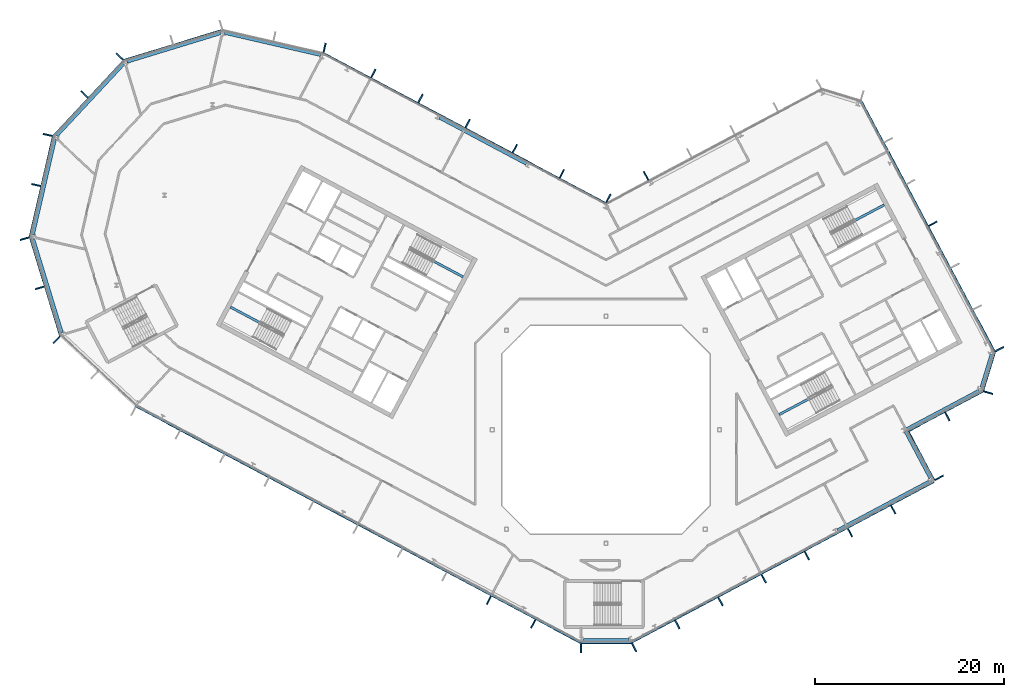
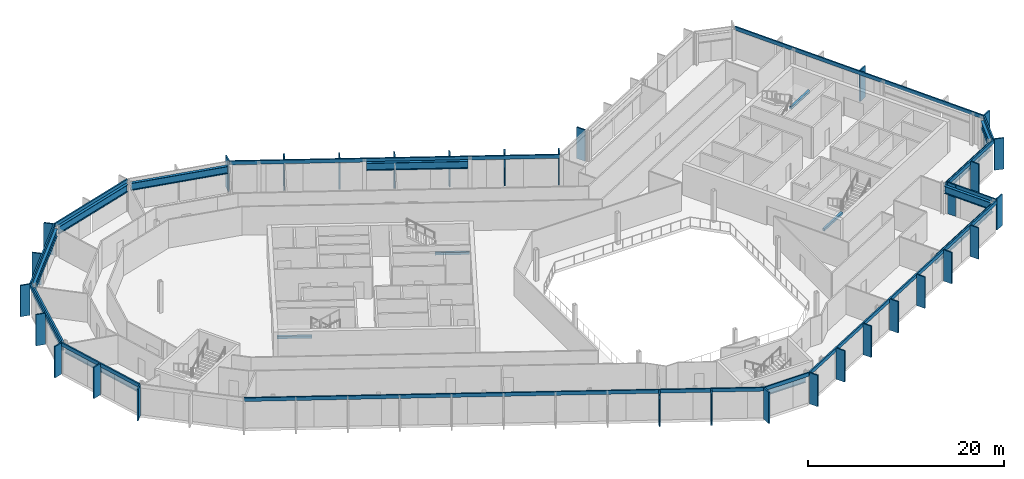
# One storey, part 9 of 26: 43 members, 15 beams, 15 elements without a shape of their own.
"""IFC4 building model written with IfcOpenShell, lengths in metres."""

from ifc_helpers import new_model, si_unit, direction, frame, origin, origin_2d, place, context, subcontext, project, spatial, rectangle, i_section, extrude, material, layer, layer_set, material_profile, profile_set, type_object, element, aggregate, save


model = new_model("IFC4")

# Units and contexts
model_context = context("Model", 3, precision=1e-05, world=origin(), true_north=direction((0.0, 1.0)))
body_context = subcontext(model_context, "Body", "Model", "MODEL_VIEW")
ifc_project = project(units=[si_unit("LENGTHUNIT", "METRE"), si_unit("AREAUNIT", "SQUARE_METRE"), si_unit("VOLUMEUNIT", "CUBIC_METRE"), si_unit("PLANEANGLEUNIT", "RADIAN"), si_unit("MASSUNIT", "GRAM", prefix="KILO")], contexts=[model_context])

# Site, building, storey
site_placement = place(None, origin())
site = spatial("IfcSite", under=ifc_project, at=site_placement, CompositionType="ELEMENT")
building_placement = place(site_placement, origin())
building = spatial("IfcBuilding", under=site, at=building_placement, Name="Cormorant Relay Tower", CompositionType="ELEMENT")
storey_placement = place(building_placement, frame((0.0, 0.0, 308.699951171875)))
storey = spatial("IfcBuildingStorey", under=building, at=storey_placement, Name="L70", CompositionType="ELEMENT", Elevation=308.699951171875)

# Curtain wall, member
ifc_material_1 = material(Name="Aluminium 6063-T6 anodised bronze", Category="aluminium")
ifc_layer = layer(ifc_material_1, 0.199951171875)
ifc_layer_set = layer_set([ifc_layer], Name="CW1 unitised bronze curtain wall with vertical fins")
curtain_wall_type = type_object("IfcCurtainWallType", Name="CW1 unitised bronze curtain wall with vertical fins", PredefinedType="NOTDEFINED", material=ifc_layer_set)
curtain_wall_1_placement = place(storey_placement, origin())
curtain_wall_1 = element("IfcCurtainWall", 1, at=curtain_wall_1_placement, inside=storey, type_object=curtain_wall_type, Name="CW1 curtain wall 1", PredefinedType="NOTDEFINED")
ifc_material_2 = material(Name="Aluminium 6063-T6 anodised bronze", Category="aluminium")
ifc_material_profile_1 = material_profile(ifc_material_2, rectangle(XDim=0.14990234375, YDim=1.0, at=origin_2d()), Name="AL 150x1000")
ifc_profile_set_1 = profile_set([ifc_material_profile_1], Name="Aluminium 6063-T6 anodised bronze")
member_type_1 = type_object("IfcMemberType", Name="CW1 bronze fin mullion 150 x 1000", PredefinedType="MULLION", material=ifc_profile_set_1)
member_1_placement = place(storey_placement, frame((-2.648681640625, -23.07568359375, 0.0), z_axis=(0.0, 0.0, 1.0), x_axis=(1.0, 0.0, 0.0)))
member_1 = element("IfcMember", 2, at=member_1_placement, type_object=member_type_1, Name="CW1 fin 1.1", PredefinedType="MULLION", context=body_context, shape_type="SweptSolid", body=[
    extrude(rectangle(XDim=0.14990234375, YDim=1.0, at=origin_2d()), origin(), (0.0, 0.0, 1.0), 3.900146484375),
])

# Curtain wall, members
curtain_wall_2_placement = place(storey_placement, origin())
curtain_wall_2 = element("IfcCurtainWall", 3, at=curtain_wall_2_placement, inside=storey, type_object=curtain_wall_type, Name="CW1 curtain wall 2", PredefinedType="NOTDEFINED")
member_2_placement = place(storey_placement, frame((2.9775390625, -22.99365234375, 0.0), z_axis=(0.0, 0.0, 1.0), x_axis=(0.882947592859, 0.469471562786, 0.0)))
member_2 = element("IfcMember", 4, at=member_2_placement, type_object=member_type_1, Name="CW1 fin 2.1", PredefinedType="MULLION", context=body_context, shape_type="SweptSolid", body=[
    extrude(rectangle(XDim=0.14990234375, YDim=1.0, at=origin_2d()), origin(), (0.0, 0.0, 1.0), 3.900146484375),
])
member_3_placement = place(storey_placement, frame((7.539306640625, -20.568115234375, 0.0), z_axis=(0.0, 0.0, 1.0), x_axis=(0.882947592859, 0.469471562786, 0.0)))
member_3 = element("IfcMember", 5, at=member_3_placement, type_object=member_type_1, Name="CW1 fin 2.2", PredefinedType="MULLION", context=body_context, shape_type="SweptSolid", body=[
    extrude(rectangle(XDim=0.14990234375, YDim=1.0, at=origin_2d()), origin(), (0.0, 0.0, 1.0), 3.900146484375),
])
member_4_placement = place(storey_placement, frame((12.10107421875, -18.142578125, 0.0), z_axis=(0.0, 0.0, 1.0), x_axis=(0.882947592859, 0.469471562786, 0.0)))
member_4 = element("IfcMember", 6, at=member_4_placement, type_object=member_type_1, Name="CW1 fin 2.3", PredefinedType="MULLION", context=body_context, shape_type="SweptSolid", body=[
    extrude(rectangle(XDim=0.14990234375, YDim=1.0, at=origin_2d()), origin(), (0.0, 0.0, 1.0), 3.900146484375),
])
member_5_placement = place(storey_placement, frame((16.662841796875, -15.717041015625, 0.0), z_axis=(0.0, 0.0, 1.0), x_axis=(0.882947592859, 0.469471562786, 0.0)))
member_5 = element("IfcMember", 7, at=member_5_placement, type_object=member_type_1, Name="CW1 fin 2.4", PredefinedType="MULLION", context=body_context, shape_type="SweptSolid", body=[
    extrude(rectangle(XDim=0.14990234375, YDim=1.0, at=origin_2d()), origin(), (0.0, 0.0, 1.0), 3.900146484375),
])
member_6_placement = place(storey_placement, frame((21.224609375, -13.29150390625, 0.0), z_axis=(0.0, 0.0, 1.0), x_axis=(0.882947592859, 0.469471562786, 0.0)))
member_6 = element("IfcMember", 8, at=member_6_placement, type_object=member_type_1, Name="CW1 fin 2.5", PredefinedType="MULLION", context=body_context, shape_type="SweptSolid", body=[
    extrude(rectangle(XDim=0.14990234375, YDim=1.0, at=origin_2d()), origin(), (0.0, 0.0, 1.0), 3.900146484375),
])
member_7_placement = place(storey_placement, frame((25.78662109375, -10.865966796875, 0.0), z_axis=(0.0, 0.0, 1.0), x_axis=(0.882947592859, 0.469471562786, 0.0)))
member_7 = element("IfcMember", 9, at=member_7_placement, type_object=member_type_1, Name="CW1 fin 2.6", PredefinedType="MULLION", context=body_context, shape_type="SweptSolid", body=[
    extrude(rectangle(XDim=0.14990234375, YDim=1.0, at=origin_2d()), origin(), (0.0, 0.0, 1.0), 3.900146484375),
])
member_8_placement = place(storey_placement, frame((30.348388671875, -8.440185546875, 0.0), z_axis=(0.0, 0.0, 1.0), x_axis=(0.882947592859, 0.469471562786, 0.0)))
member_8 = element("IfcMember", 10, at=member_8_placement, type_object=member_type_1, Name="CW1 fin 2.7", PredefinedType="MULLION", context=body_context, shape_type="SweptSolid", body=[
    extrude(rectangle(XDim=0.14990234375, YDim=1.0, at=origin_2d()), origin(), (0.0, 0.0, 1.0), 3.900146484375),
])

# Curtain wall, member
curtain_wall_3_placement = place(storey_placement, origin())
curtain_wall_3 = element("IfcCurtainWall", 11, at=curtain_wall_3_placement, inside=storey, type_object=curtain_wall_type, Name="CW1 curtain wall 3", PredefinedType="NOTDEFINED")
member_9_placement = place(storey_placement, frame((35.199462890625, -5.068115234375, 0.0), z_axis=(0.0, 0.0, 1.0), x_axis=(-0.469471562786, 0.882947592859, 0.0)))
member_9 = element("IfcMember", 12, at=member_9_placement, type_object=member_type_1, Name="CW1 fin 3.1", PredefinedType="MULLION", context=body_context, shape_type="SweptSolid", body=[
    extrude(rectangle(XDim=0.14990234375, YDim=1.0, at=origin_2d()), origin(), (0.0, 0.0, 1.0), 3.900146484375),
])

# Curtain wall, members
curtain_wall_4_placement = place(storey_placement, origin())
curtain_wall_4 = element("IfcCurtainWall", 13, at=curtain_wall_4_placement, inside=storey, type_object=curtain_wall_type, Name="CW1 curtain wall 4", PredefinedType="NOTDEFINED")
member_10_placement = place(storey_placement, frame((32.159423828125, -0.681884765625, 0.0), z_axis=(0.0, 0.0, 1.0), x_axis=(0.882947592859, 0.469471562786, 0.0)))
member_10 = element("IfcMember", 14, at=member_10_placement, type_object=member_type_1, Name="CW1 fin 4.1", PredefinedType="MULLION", context=body_context, shape_type="SweptSolid", body=[
    extrude(rectangle(XDim=0.14990234375, YDim=1.0, at=origin_2d()), origin(), (0.0, 0.0, 1.0), 3.900146484375),
])
member_11_placement = place(storey_placement, frame((36.06640625, 1.3955078125, 0.0), z_axis=(0.0, 0.0, 1.0), x_axis=(0.882947592859, 0.469471562786, 0.0)))
member_11 = element("IfcMember", 15, at=member_11_placement, type_object=member_type_1, Name="CW1 fin 4.2", PredefinedType="MULLION", context=body_context, shape_type="SweptSolid", body=[
    extrude(rectangle(XDim=0.14990234375, YDim=1.0, at=origin_2d()), origin(), (0.0, 0.0, 1.0), 3.900146484375),
])

# Curtain wall, member
curtain_wall_5_placement = place(storey_placement, origin())
curtain_wall_5 = element("IfcCurtainWall", 16, at=curtain_wall_5_placement, inside=storey, type_object=curtain_wall_type, Name="CW1 curtain wall 5", PredefinedType="NOTDEFINED")
member_12_placement = place(storey_placement, frame((40.380615234375, 3.921630859375, 0.0), z_axis=(0.0, 0.0, 1.0), x_axis=(0.292371704723, 0.956304755963, 0.0)))
member_12 = element("IfcMember", 17, at=member_12_placement, type_object=member_type_1, Name="CW1 fin 5.1", PredefinedType="MULLION", context=body_context, shape_type="SweptSolid", body=[
    extrude(rectangle(XDim=0.14990234375, YDim=1.0, at=origin_2d()), origin(), (0.0, 0.0, 1.0), 3.900146484375),
])

# Curtain wall, members
curtain_wall_6_placement = place(storey_placement, origin())
curtain_wall_6 = element("IfcCurtainWall", 18, at=curtain_wall_6_placement, inside=storey, type_object=curtain_wall_type, Name="CW1 curtain wall 6", PredefinedType="NOTDEFINED")
member_13_placement = place(storey_placement, frame((41.569580078125, 8.51220703125, 0.0), z_axis=(0.0, 0.0, 1.0), x_axis=(-0.469471562786, 0.882947592859, 0.0)))
member_13 = element("IfcMember", 19, at=member_13_placement, type_object=member_type_1, Name="CW1 fin 6.1", PredefinedType="MULLION", context=body_context, shape_type="SweptSolid", body=[
    extrude(rectangle(XDim=0.14990234375, YDim=1.0, at=origin_2d()), origin(), (0.0, 0.0, 1.0), 3.900146484375),
])
member_14_placement = place(storey_placement, frame((34.527587890625, 21.75634765625, 0.0), z_axis=(0.0, 0.0, 1.0), x_axis=(-0.469471562786, 0.882947592859, 0.0)))
member_14 = element("IfcMember", 20, at=member_14_placement, type_object=member_type_1, Name="CW1 fin 6.4", PredefinedType="MULLION", context=body_context, shape_type="SweptSolid", body=[
    extrude(rectangle(XDim=0.14990234375, YDim=1.0, at=origin_2d()), origin(), (0.0, 0.0, 1.0), 3.900146484375),
])

# Curtain wall, member
curtain_wall_7_placement = place(storey_placement, origin())
curtain_wall_7 = element("IfcCurtainWall", 21, at=curtain_wall_7_placement, inside=storey, type_object=curtain_wall_type, Name="CW1 curtain wall 8", PredefinedType="NOTDEFINED")
member_15_placement = place(storey_placement, frame((4.2333984375, 26.82763671875, 0.0), z_axis=(0.0, 0.0, 1.0), x_axis=(-0.882947592859, -0.469471562786, 0.0)))
member_15 = element("IfcMember", 22, at=member_15_placement, type_object=member_type_1, Name="CW1 fin 8.5", PredefinedType="MULLION", context=body_context, shape_type="SweptSolid", body=[
    extrude(rectangle(XDim=0.14990234375, YDim=1.0, at=origin_2d()), origin(), (0.0, 0.0, 1.0), 3.900146484375),
])
aggregate(curtain_wall_7, [member_15])

# Curtain wall, members
curtain_wall_8_placement = place(storey_placement, origin())
curtain_wall_8 = element("IfcCurtainWall", 23, at=curtain_wall_8_placement, inside=storey, type_object=curtain_wall_type, Name="CW1 curtain wall 9", PredefinedType="NOTDEFINED")
member_16_placement = place(storey_placement, frame((0.262451171875, 24.437255859375, 0.0), z_axis=(0.0, 0.0, 1.0), x_axis=(-0.882947592859, 0.469471562786, 0.0)))
member_16 = element("IfcMember", 24, at=member_16_placement, type_object=member_type_1, Name="CW1 fin 9.1", PredefinedType="MULLION", context=body_context, shape_type="SweptSolid", body=[
    extrude(rectangle(XDim=0.14990234375, YDim=1.0, at=origin_2d()), origin(), (0.0, 0.0, 1.0), 3.900146484375),
])
member_17_placement = place(storey_placement, frame((-4.650390625, 27.04931640625, 0.0), z_axis=(0.0, 0.0, 1.0), x_axis=(-0.882947592859, 0.469471562786, 0.0)))
member_17 = element("IfcMember", 25, at=member_17_placement, type_object=member_type_1, Name="CW1 fin 9.2", PredefinedType="MULLION", context=body_context, shape_type="SweptSolid", body=[
    extrude(rectangle(XDim=0.14990234375, YDim=1.0, at=origin_2d()), origin(), (0.0, 0.0, 1.0), 3.900146484375),
])
member_18_placement = place(storey_placement, frame((-9.62939453125, 29.69677734375, 0.0), z_axis=(0.0, 0.0, 1.0), x_axis=(-0.882947592859, 0.469471562786, 0.0)))
member_18 = element("IfcMember", 26, at=member_18_placement, type_object=member_type_1, Name="CW1 fin 9.3", PredefinedType="MULLION", context=body_context, shape_type="SweptSolid", body=[
    extrude(rectangle(XDim=0.14990234375, YDim=1.0, at=origin_2d()), origin(), (0.0, 0.0, 1.0), 3.900146484375),
])
member_19_placement = place(storey_placement, frame((-14.608154296875, 32.343994140625, 0.0), z_axis=(0.0, 0.0, 1.0), x_axis=(-0.882947592859, 0.469471562786, 0.0)))
member_19 = element("IfcMember", 27, at=member_19_placement, type_object=member_type_1, Name="CW1 fin 9.4", PredefinedType="MULLION", context=body_context, shape_type="SweptSolid", body=[
    extrude(rectangle(XDim=0.14990234375, YDim=1.0, at=origin_2d()), origin(), (0.0, 0.0, 1.0), 3.900146484375),
])
member_20_placement = place(storey_placement, frame((-19.587158203125, 34.991455078125, 0.0), z_axis=(0.0, 0.0, 1.0), x_axis=(-0.882947592859, 0.469471562786, 0.0)))
member_20 = element("IfcMember", 28, at=member_20_placement, type_object=member_type_1, Name="CW1 fin 9.5", PredefinedType="MULLION", context=body_context, shape_type="SweptSolid", body=[
    extrude(rectangle(XDim=0.14990234375, YDim=1.0, at=origin_2d()), origin(), (0.0, 0.0, 1.0), 3.900146484375),
])
member_21_placement = place(storey_placement, frame((-24.566162109375, 37.638916015625, 0.0), z_axis=(0.0, 0.0, 1.0), x_axis=(-0.882947592859, 0.469471562786, 0.0)))
member_21 = element("IfcMember", 29, at=member_21_placement, type_object=member_type_1, Name="CW1 fin 9.6", PredefinedType="MULLION", context=body_context, shape_type="SweptSolid", body=[
    extrude(rectangle(XDim=0.14990234375, YDim=1.0, at=origin_2d()), origin(), (0.0, 0.0, 1.0), 3.900146484375),
])

# Curtain wall, member
curtain_wall_9_placement = place(storey_placement, origin())
curtain_wall_9 = element("IfcCurtainWall", 30, at=curtain_wall_9_placement, inside=storey, type_object=curtain_wall_type, Name="CW1 curtain wall 10", PredefinedType="NOTDEFINED")
member_22_placement = place(storey_placement, frame((-29.71630859375, 40.35009765625, 0.0), z_axis=(0.0, 0.0, 1.0), x_axis=(-0.974370064785, 0.224951054344, 0.0)))
member_22 = element("IfcMember", 31, at=member_22_placement, type_object=member_type_1, Name="CW1 fin 10.1", PredefinedType="MULLION", context=body_context, shape_type="SweptSolid", body=[
    extrude(rectangle(XDim=0.14990234375, YDim=1.0, at=origin_2d()), origin(), (0.0, 0.0, 1.0), 3.900146484375),
])
aggregate(curtain_wall_9, [member_22])

# Curtain wall, members
curtain_wall_10_placement = place(storey_placement, origin())
curtain_wall_10 = element("IfcCurtainWall", 32, at=curtain_wall_10_placement, inside=storey, type_object=curtain_wall_type, Name="CW1 curtain wall 12", PredefinedType="NOTDEFINED")
member_23_placement = place(storey_placement, frame((-51.372802734375, 39.41259765625, 0.0), z_axis=(0.0, 0.0, 1.0), x_axis=(-0.681998360062, -0.731353701619, 0.0)))
member_23 = element("IfcMember", 33, at=member_23_placement, type_object=member_type_1, Name="CW1 fin 12.1", PredefinedType="MULLION", context=body_context, shape_type="SweptSolid", body=[
    extrude(rectangle(XDim=0.14990234375, YDim=1.0, at=origin_2d()), origin(), (0.0, 0.0, 1.0), 3.900146484375),
])
member_24_placement = place(storey_placement, frame((-55.07958984375, 35.4375, 0.0), z_axis=(0.0, 0.0, 1.0), x_axis=(-0.681998360062, -0.731353701619, 0.0)))
member_24 = element("IfcMember", 34, at=member_24_placement, type_object=member_type_1, Name="CW1 fin 12.2", PredefinedType="MULLION", context=body_context, shape_type="SweptSolid", body=[
    extrude(rectangle(XDim=0.14990234375, YDim=1.0, at=origin_2d()), origin(), (0.0, 0.0, 1.0), 3.900146484375),
])

curtain_wall_11_placement = place(storey_placement, origin())
curtain_wall_11 = element("IfcCurtainWall", 35, at=curtain_wall_11_placement, inside=storey, type_object=curtain_wall_type, Name="CW1 curtain wall 13", PredefinedType="NOTDEFINED")
member_25_placement = place(storey_placement, frame((-58.95654296875, 31.142578125, 0.0), z_axis=(0.0, 0.0, 1.0), x_axis=(-0.224951054344, -0.974370064785, 0.0)))
member_25 = element("IfcMember", 36, at=member_25_placement, type_object=member_type_1, Name="CW1 fin 13.1", PredefinedType="MULLION", context=body_context, shape_type="SweptSolid", body=[
    extrude(rectangle(XDim=0.14990234375, YDim=1.0, at=origin_2d()), origin(), (0.0, 0.0, 1.0), 3.900146484375),
])
member_26_placement = place(storey_placement, frame((-60.17919921875, 25.8466796875, 0.0), z_axis=(0.0, 0.0, 1.0), x_axis=(-0.224951054344, -0.974370064785, 0.0)))
member_26 = element("IfcMember", 37, at=member_26_placement, type_object=member_type_1, Name="CW1 fin 13.2", PredefinedType="MULLION", context=body_context, shape_type="SweptSolid", body=[
    extrude(rectangle(XDim=0.14990234375, YDim=1.0, at=origin_2d()), origin(), (0.0, 0.0, 1.0), 3.900146484375),
])

curtain_wall_12_placement = place(storey_placement, origin())
curtain_wall_12 = element("IfcCurtainWall", 38, at=curtain_wall_12_placement, inside=storey, type_object=curtain_wall_type, Name="CW1 curtain wall 14", PredefinedType="NOTDEFINED")
member_27_placement = place(storey_placement, frame((-61.389404296875, 20.188720703125, 0.0), z_axis=(0.0, 0.0, 1.0), x_axis=(0.292371704723, -0.956304755963, 0.0)))
member_27 = element("IfcMember", 39, at=member_27_placement, type_object=member_type_1, Name="CW1 fin 14.1", PredefinedType="MULLION", context=body_context, shape_type="SweptSolid", body=[
    extrude(rectangle(XDim=0.14990234375, YDim=1.0, at=origin_2d()), origin(), (0.0, 0.0, 1.0), 3.900146484375),
])
member_28_placement = place(storey_placement, frame((-59.80029296875, 14.990966796875, 0.0), z_axis=(0.0, 0.0, 1.0), x_axis=(0.292371704723, -0.956304755963, 0.0)))
member_28 = element("IfcMember", 40, at=member_28_placement, type_object=member_type_1, Name="CW1 fin 14.2", PredefinedType="MULLION", context=body_context, shape_type="SweptSolid", body=[
    extrude(rectangle(XDim=0.14990234375, YDim=1.0, at=origin_2d()), origin(), (0.0, 0.0, 1.0), 3.900146484375),
])

# Curtain wall, member
curtain_wall_13_placement = place(storey_placement, origin())
curtain_wall_13 = element("IfcCurtainWall", 41, at=curtain_wall_13_placement, inside=storey, type_object=curtain_wall_type, Name="CW1 curtain wall 15", PredefinedType="NOTDEFINED")
member_29_placement = place(storey_placement, frame((-58.01904296875, 9.486083984375, 0.0), z_axis=(0.0, 0.0, 1.0), x_axis=(0.731353701619, -0.681998360062, 0.0)))
member_29 = element("IfcMember", 42, at=member_29_placement, type_object=member_type_1, Name="CW1 fin 15.1", PredefinedType="MULLION", context=body_context, shape_type="SweptSolid", body=[
    extrude(rectangle(XDim=0.14990234375, YDim=1.0, at=origin_2d()), origin(), (0.0, 0.0, 1.0), 3.900146484375),
])
aggregate(curtain_wall_13, [member_29])

# Curtain wall, members
curtain_wall_14_placement = place(storey_placement, origin())
curtain_wall_14 = element("IfcCurtainWall", 43, at=curtain_wall_14_placement, inside=storey, type_object=curtain_wall_type, Name="CW1 curtain wall 16", PredefinedType="NOTDEFINED")
member_30_placement = place(storey_placement, frame((-12.365966796875, -18.001708984375, 0.0), z_axis=(0.0, 0.0, 1.0), x_axis=(0.882947592859, -0.469471562786, 0.0)))
member_30 = element("IfcMember", 44, at=member_30_placement, type_object=member_type_1, Name="CW1 fin 16.9", PredefinedType="MULLION", context=body_context, shape_type="SweptSolid", body=[
    extrude(rectangle(XDim=0.14990234375, YDim=1.0, at=origin_2d()), origin(), (0.0, 0.0, 1.0), 3.900146484375),
])
member_31_placement = place(storey_placement, frame((-7.671630859375, -20.49755859375, 0.0), z_axis=(0.0, 0.0, 1.0), x_axis=(0.882947592859, -0.469471562786, 0.0)))
member_31 = element("IfcMember", 45, at=member_31_placement, type_object=member_type_1, Name="CW1 fin 16.10", PredefinedType="MULLION", context=body_context, shape_type="SweptSolid", body=[
    extrude(rectangle(XDim=0.14990234375, YDim=1.0, at=origin_2d()), origin(), (0.0, 0.0, 1.0), 3.900146484375),
])

# Member
ifc_material_3 = material(Name="Aluminium 6063-T6 anodised bronze", Category="aluminium")
ifc_material_profile_2 = material_profile(ifc_material_3, rectangle(XDim=0.159912109375, YDim=0.449951171875, at=origin_2d()), Name="AL 160x450")
ifc_profile_set_2 = profile_set([ifc_material_profile_2], Name="Aluminium 6063-T6 anodised bronze")
member_type_2 = type_object("IfcMemberType", Name="CW1 bronze transom 160 x 450", PredefinedType="USERDEFINED", material=ifc_profile_set_2)
member_32_placement = place(storey_placement, frame((-2.648681640625, -22.49560546875, 3.675048828125), z_axis=(1.0, 0.0, 0.0), x_axis=(0.0, 1.0, 0.0)))
member_32 = element("IfcMember", 46, at=member_32_placement, type_object=member_type_2, Name="CW1 transom 1", ObjectType="TRANSOM", PredefinedType="USERDEFINED", context=body_context, shape_type="SweptSolid", body=[
    extrude(rectangle(XDim=0.159912109375, YDim=0.449951171875, at=origin_2d()), origin(), (0.0, 0.0, 1.0), 5.29736328125),
])

aggregate(curtain_wall_1, [member_1, member_32])

member_33_placement = place(storey_placement, frame((2.705078125, -22.4814453125, 3.675048828125), z_axis=(0.882948899141, 0.469469106018, 0.0), x_axis=(-0.469469106018, 0.882948899141, 0.0)))
member_33 = element("IfcMember", 47, at=member_33_placement, type_object=member_type_2, Name="CW1 transom 2", ObjectType="TRANSOM", PredefinedType="USERDEFINED", context=body_context, shape_type="SweptSolid", body=[
    extrude(rectangle(XDim=0.159912109375, YDim=0.449951171875, at=origin_2d()), origin(), (0.0, 0.0, 1.0), 36.165771484375),
])

aggregate(curtain_wall_2, [member_2, member_3, member_4, member_5, member_6, member_7, member_8, member_33])

member_34_placement = place(storey_placement, frame((34.6875, -5.34033203125, 3.675048828125), z_axis=(-0.469485426614, 0.882940221191, 0.0), x_axis=(-0.882940221191, -0.469485426614, 0.0)))
member_34 = element("IfcMember", 48, at=member_34_placement, type_object=member_type_2, Name="CW1 transom 3", ObjectType="TRANSOM", PredefinedType="USERDEFINED", context=body_context, shape_type="SweptSolid", body=[
    extrude(rectangle(XDim=0.159912109375, YDim=0.449951171875, at=origin_2d()), origin(), (0.0, 0.0, 1.0), 6.0),
])

aggregate(curtain_wall_3, [member_9, member_34])

member_35_placement = place(storey_placement, frame((31.82080078125, -0.205078125, 3.675048828125), z_axis=(0.882949189538, 0.469468559857, 0.0), x_axis=(-0.469468559857, 0.882949189538, 0.0)))
member_35 = element("IfcMember", 49, at=member_35_placement, type_object=member_type_2, Name="CW1 transom 4", ObjectType="TRANSOM", PredefinedType="USERDEFINED", context=body_context, shape_type="SweptSolid", body=[
    extrude(rectangle(XDim=0.159912109375, YDim=0.449951171875, at=origin_2d()), origin(), (0.0, 0.0, 1.0), 9.000244140625),
])

aggregate(curtain_wall_4, [member_10, member_11, member_35])

member_36_placement = place(storey_placement, frame((39.825927734375, 4.091064453125, 3.675048828125), z_axis=(0.292374957137, 0.956303761594, 0.0), x_axis=(-0.956303761594, 0.292374957137, 0.0)))
member_36 = element("IfcMember", 50, at=member_36_placement, type_object=member_type_2, Name="CW1 transom 5", ObjectType="TRANSOM", PredefinedType="USERDEFINED", context=body_context, shape_type="SweptSolid", body=[
    extrude(rectangle(XDim=0.159912109375, YDim=0.449951171875, at=origin_2d()), origin(), (0.0, 0.0, 1.0), 4.24267578125),
])

aggregate(curtain_wall_5, [member_12, member_36])

member_37_placement = place(storey_placement, frame((41.0576171875, 8.23974609375, 3.675048828125), z_axis=(-0.469472335483, 0.882947182008, 0.0), x_axis=(-0.882947182008, -0.469472335483, 0.0)))
member_37 = element("IfcMember", 51, at=member_37_placement, type_object=member_type_2, Name="CW1 transom 6", ObjectType="TRANSOM", PredefinedType="USERDEFINED", context=body_context, shape_type="SweptSolid", body=[
    extrude(rectangle(XDim=0.159912109375, YDim=0.449951171875, at=origin_2d()), origin(), (0.0, 0.0, 1.0), 30.000244140625),
])

aggregate(curtain_wall_6, [member_13, member_14, member_37])

member_38_placement = place(storey_placement, frame((0.056396484375, 23.889892578125, 3.675048828125), z_axis=(-0.882946280328, 0.46947403129, 0.0), x_axis=(-0.46947403129, -0.882946280328, 0.0)))
member_38 = element("IfcMember", 52, at=member_38_placement, type_object=member_type_2, Name="CW1 transom 9", ObjectType="TRANSOM", PredefinedType="USERDEFINED", context=body_context, shape_type="SweptSolid", body=[
    extrude(rectangle(XDim=0.159912109375, YDim=0.449951171875, at=origin_2d()), origin(), (0.0, 0.0, 1.0), 33.834228515625),
])

aggregate(curtain_wall_8, [member_16, member_17, member_18, member_19, member_20, member_21, member_38])

# Curtain wall, member
curtain_wall_15_placement = place(storey_placement, origin())
curtain_wall_15 = element("IfcCurtainWall", 53, at=curtain_wall_15_placement, inside=storey, type_object=curtain_wall_type, Name="CW1 curtain wall 11", PredefinedType="NOTDEFINED")
member_39_placement = place(storey_placement, frame((-40.50048828125, 42.228271484375, 3.675048828125), z_axis=(-0.956304833932, -0.292371449698, 0.0), x_axis=(0.292371449698, -0.956304833932, 0.0)))
member_39 = element("IfcMember", 54, at=member_39_placement, type_object=member_type_2, Name="CW1 transom 11", ObjectType="TRANSOM", PredefinedType="USERDEFINED", context=body_context, shape_type="SweptSolid", body=[
    extrude(rectangle(XDim=0.159912109375, YDim=0.449951171875, at=origin_2d()), origin(), (0.0, 0.0, 1.0), 10.87060546875),
])
aggregate(curtain_wall_15, [member_39])

# Member
member_40_placement = place(storey_placement, frame((-50.94873046875, 39.01708984375, 3.675048828125), z_axis=(-0.681993299437, -0.731358420696, 0.0), x_axis=(0.731358420696, -0.681993299437, 0.0)))
member_40 = element("IfcMember", 55, at=member_40_placement, type_object=member_type_2, Name="CW1 transom 12", ObjectType="TRANSOM", PredefinedType="USERDEFINED", context=body_context, shape_type="SweptSolid", body=[
    extrude(rectangle(XDim=0.159912109375, YDim=0.449951171875, at=origin_2d()), origin(), (0.0, 0.0, 1.0), 10.870361328125),
])

aggregate(curtain_wall_10, [member_23, member_24, member_40])

member_41_placement = place(storey_placement, frame((-58.3916015625, 31.01220703125, 3.675048828125), z_axis=(-0.22495136131, -0.974369993916, 0.0), x_axis=(0.974369993916, -0.22495136131, 0.0)))
member_41 = element("IfcMember", 56, at=member_41_placement, type_object=member_type_2, Name="CW1 transom 13", ObjectType="TRANSOM", PredefinedType="USERDEFINED", context=body_context, shape_type="SweptSolid", body=[
    extrude(rectangle(XDim=0.159912109375, YDim=0.449951171875, at=origin_2d()), origin(), (0.0, 0.0, 1.0), 10.870361328125),
])

aggregate(curtain_wall_11, [member_25, member_26, member_41])

member_42_placement = place(storey_placement, frame((-60.834716796875, 20.358154296875, 3.675048828125), z_axis=(0.292377729282, -0.95630291405, 0.0), x_axis=(0.95630291405, 0.292377729282, 0.0)))
member_42 = element("IfcMember", 57, at=member_42_placement, type_object=member_type_2, Name="CW1 transom 14", ObjectType="TRANSOM", PredefinedType="USERDEFINED", context=body_context, shape_type="SweptSolid", body=[
    extrude(rectangle(XDim=0.159912109375, YDim=0.449951171875, at=origin_2d()), origin(), (0.0, 0.0, 1.0), 10.870361328125),
])

aggregate(curtain_wall_12, [member_27, member_28, member_42])

member_43_placement = place(storey_placement, frame((-49.64794921875, 2.478515625, 3.675048828125), z_axis=(0.882947642542, -0.469471469346, 0.0), x_axis=(0.469471469346, 0.882947642542, 0.0)))
member_43 = element("IfcMember", 58, at=member_43_placement, type_object=member_type_2, Name="CW1 transom 16", ObjectType="TRANSOM", PredefinedType="USERDEFINED", context=body_context, shape_type="SweptSolid", body=[
    extrude(rectangle(XDim=0.159912109375, YDim=0.449951171875, at=origin_2d()), origin(), (0.0, 0.0, 1.0), 53.166015625),
])

aggregate(curtain_wall_14, [member_30, member_31, member_43])

# Beams
ifc_material_4 = material(Name="Steel ASTM A992 (Fy 345 MPa)", Category="steel")
ifc_material_profile_3 = material_profile(ifc_material_4, i_section(OverallWidth=0.307373046875, OverallDepth=0.927001953125, WebThickness=0.019287109375, FlangeThickness=0.031982421875, FilletRadius=0.01904296875, at=origin_2d()), Name="W920x289")
ifc_profile_set_3 = profile_set([ifc_material_profile_3], Name="Steel ASTM A992 (Fy 345 MPa)")
beam_type_1 = type_object("IfcBeamType", Name="Spandrel W920x289", PredefinedType="SPANDREL", material=ifc_profile_set_3)
beam_1_placement = place(storey_placement, frame((-2.377197265625, -22.221923828125, 3.07666015625), z_axis=(1.0, 0.0, 0.0), x_axis=(0.0, 1.0, 0.0)))
element("IfcBeam", 59, at=beam_1_placement, inside=storey, type_object=beam_type_1, Name="Spandrel beam L70-001", PredefinedType="SPANDREL", context=body_context, shape_type="SweptSolid", body=[
    extrude(i_section(OverallWidth=0.307373046875, OverallDepth=0.927001953125, WebThickness=0.019287109375, FlangeThickness=0.031982421875, FilletRadius=0.01904296875, at=origin_2d()), origin(), (0.0, 0.0, 1.0), 4.79541015625),
])
beam_2_placement = place(storey_placement, frame((24.44287109375, -10.61328125, 3.07666015625), z_axis=(0.882957797597, 0.469452369961, 0.0), x_axis=(-0.469452369961, 0.882957797597, 0.0)))
element("IfcBeam", 60, at=beam_2_placement, inside=storey, type_object=beam_type_1, Name="Spandrel beam L70-002", PredefinedType="SPANDREL", context=body_context, shape_type="SweptSolid", body=[
    extrude(i_section(OverallWidth=0.307373046875, OverallDepth=0.927001953125, WebThickness=0.019287109375, FlangeThickness=0.031982421875, FilletRadius=0.01904296875, at=origin_2d()), origin(), (0.0, 0.0, 1.0), 10.992431640625),
])
beam_3_placement = place(storey_placement, frame((34.254638671875, -5.109619140625, 3.07666015625), z_axis=(-0.469457325339, 0.882955162897, 0.0), x_axis=(-0.882955162897, -0.469457325339, 0.0)))
element("IfcBeam", 61, at=beam_3_placement, inside=storey, type_object=beam_type_1, Name="Spandrel beam L70-003", PredefinedType="SPANDREL", context=body_context, shape_type="SweptSolid", body=[
    extrude(i_section(OverallWidth=0.307373046875, OverallDepth=0.927001953125, WebThickness=0.019287109375, FlangeThickness=0.031982421875, FilletRadius=0.01904296875, at=origin_2d()), origin(), (0.0, 0.0, 1.0), 5.593017578125),
])
beam_4_placement = place(storey_placement, frame((31.6923828125, 0.03662109375, 3.07666015625), z_axis=(0.882943393008, 0.469479461472, 0.0), x_axis=(-0.469479461472, 0.882943393008, 0.0)))
element("IfcBeam", 62, at=beam_4_placement, inside=storey, type_object=beam_type_1, Name="Spandrel beam L70-004", PredefinedType="SPANDREL", context=body_context, shape_type="SweptSolid", body=[
    extrude(i_section(OverallWidth=0.307373046875, OverallDepth=0.927001953125, WebThickness=0.019287109375, FlangeThickness=0.031982421875, FilletRadius=0.01904296875, at=origin_2d()), origin(), (0.0, 0.0, 1.0), 8.734375),
])
beam_5_placement = place(storey_placement, frame((39.6591796875, 4.4814453125, 3.07666015625), z_axis=(0.292323829151, 0.956319391684, 0.0), x_axis=(-0.956319391684, 0.292323829151, 0.0)))
element("IfcBeam", 63, at=beam_5_placement, inside=storey, type_object=beam_type_1, Name="Spandrel beam L70-005", PredefinedType="SPANDREL", context=body_context, shape_type="SweptSolid", body=[
    extrude(i_section(OverallWidth=0.307373046875, OverallDepth=0.927001953125, WebThickness=0.019287109375, FlangeThickness=0.031982421875, FilletRadius=0.01904296875, at=origin_2d()), origin(), (0.0, 0.0, 1.0), 3.652099609375),
])
beam_6_placement = place(storey_placement, frame((-8.401611328125, 28.0771484375, 3.07666015625), z_axis=(-0.882945471565, 0.469475552338, 0.0), x_axis=(-0.469475552338, -0.882945471565, 0.0)))
element("IfcBeam", 64, at=beam_6_placement, inside=storey, type_object=beam_type_1, Name="Spandrel beam L70-009", PredefinedType="SPANDREL", context=body_context, shape_type="SweptSolid", body=[
    extrude(i_section(OverallWidth=0.307373046875, OverallDepth=0.927001953125, WebThickness=0.019287109375, FlangeThickness=0.031982421875, FilletRadius=0.01904296875, at=origin_2d()), origin(), (0.0, 0.0, 1.0), 10.401123046875),
])
beam_7_placement = place(storey_placement, frame((-30.138427734375, 39.571533203125, 3.07666015625), z_axis=(-0.97437021882, 0.224950387145, 0.0), x_axis=(-0.224950387145, -0.97437021882, 0.0)))
element("IfcBeam", 65, at=beam_7_placement, inside=storey, type_object=beam_type_1, Name="Spandrel beam L70-010", PredefinedType="SPANDREL", context=body_context, shape_type="SweptSolid", body=[
    extrude(i_section(OverallWidth=0.307373046875, OverallDepth=0.927001953125, WebThickness=0.019287109375, FlangeThickness=0.031982421875, FilletRadius=0.01904296875, at=origin_2d()), origin(), (0.0, 0.0, 1.0), 10.3984375),
])
beam_8_placement = place(storey_placement, frame((-40.68505859375, 41.8857421875, 3.07666015625), z_axis=(-0.956304903575, -0.292371221906, 0.0), x_axis=(0.292371221906, -0.956304903575, 0.0)))
element("IfcBeam", 66, at=beam_8_placement, inside=storey, type_object=beam_type_1, Name="Spandrel beam L70-011", PredefinedType="SPANDREL", context=body_context, shape_type="SweptSolid", body=[
    extrude(i_section(OverallWidth=0.307373046875, OverallDepth=0.927001953125, WebThickness=0.019287109375, FlangeThickness=0.031982421875, FilletRadius=0.01904296875, at=origin_2d()), origin(), (0.0, 0.0, 1.0), 10.358642578125),
])
beam_9_placement = place(storey_placement, frame((-50.9375, 38.627685546875, 3.07666015625), z_axis=(-0.682009982741, -0.731342863124, 0.0), x_axis=(0.731342863124, -0.682009982741, 0.0)))
element("IfcBeam", 67, at=beam_9_placement, inside=storey, type_object=beam_type_1, Name="Spandrel beam L70-012", PredefinedType="SPANDREL", context=body_context, shape_type="SweptSolid", body=[
    extrude(i_section(OverallWidth=0.307373046875, OverallDepth=0.927001953125, WebThickness=0.019287109375, FlangeThickness=0.031982421875, FilletRadius=0.01904296875, at=origin_2d()), origin(), (0.0, 0.0, 1.0), 10.35791015625),
])
beam_10_placement = place(storey_placement, frame((-58.18701171875, 30.680908203125, 3.07666015625), z_axis=(-0.224955895786, -0.974368947038, 0.0), x_axis=(0.974368947038, -0.224955895786, 0.0)))
element("IfcBeam", 68, at=beam_10_placement, inside=storey, type_object=beam_type_1, Name="Spandrel beam L70-013", PredefinedType="SPANDREL", context=body_context, shape_type="SweptSolid", body=[
    extrude(i_section(OverallWidth=0.307373046875, OverallDepth=0.927001953125, WebThickness=0.019287109375, FlangeThickness=0.031982421875, FilletRadius=0.01904296875, at=origin_2d()), origin(), (0.0, 0.0, 1.0), 10.359130859375),
])
beam_11_placement = place(storey_placement, frame((-60.49169921875, 20.1728515625, 3.07666015625), z_axis=(0.292367651593, -0.95630599512, 0.0), x_axis=(0.95630599512, 0.292367651593, 0.0)))
element("IfcBeam", 69, at=beam_11_placement, inside=storey, type_object=beam_type_1, Name="Spandrel beam L70-014", PredefinedType="SPANDREL", context=body_context, shape_type="SweptSolid", body=[
    extrude(i_section(OverallWidth=0.307373046875, OverallDepth=0.927001953125, WebThickness=0.019287109375, FlangeThickness=0.031982421875, FilletRadius=0.01904296875, at=origin_2d()), origin(), (0.0, 0.0, 1.0), 10.357177734375),
])
ifc_material_5 = material(Name="Concrete 50 MPa", Category="concrete")
ifc_material_profile_4 = material_profile(ifc_material_5, rectangle(XDim=0.25, YDim=0.300048828125, at=origin_2d()), Name="RC 250x300")
ifc_profile_set_4 = profile_set([ifc_material_profile_4], Name="Concrete 50 MPa")
beam_type_2 = type_object("IfcBeamType", Name="Stair landing ledge beam 250x300", PredefinedType="BEAM", material=ifc_profile_set_4)
beam_12_placement = place(storey_placement, frame((-18.219482421875, 17.813720703125, 1.60009765625), z_axis=(0.882950035608, -0.469466968614, 0.0), x_axis=(0.469466968614, 0.882950035608, 0.0)))
element("IfcBeam", 70, at=beam_12_placement, inside=storey, type_object=beam_type_2, Name="A1 landing ledge beam", PredefinedType="BEAM", context=body_context, shape_type="SweptSolid", body=[
    extrude(rectangle(XDim=0.25, YDim=0.300048828125, at=origin_2d()), origin(), (0.0, 0.0, 1.0), 3.5498046875),
])
for number, where, z_axis, x_axis, name in (
    (71, (-36.523193359375, 11.29345703125, 1.60009765625), (-0.88293668587, 0.469492075273, 0.0), (-0.469492075273, -0.88293668587, 0.0), "A2 landing ledge beam"),
    (72, (21.4248046875, 3.265380859375, 1.60009765625), (-0.88296519247, -0.469438461235, 0.0), (0.469438461235, -0.88296519247, 0.0), "B1 landing ledge beam"),
    (73, (26.25439453125, 22.0859375, 1.60009765625), (0.88296519247, 0.469438461235, 0.0), (-0.469438461235, 0.88296519247, 0.0), "B2 landing ledge beam"),
):
    element("IfcBeam", number, at=place(storey_placement, frame(where, z_axis=z_axis, x_axis=x_axis)), inside=storey, type_object=beam_type_2, Name=name, PredefinedType="BEAM", context=body_context, shape_type="SweptSolid", body=[
        extrude(rectangle(XDim=0.25, YDim=0.300048828125, at=origin_2d()), origin(), (0.0, 0.0, 1.0), 3.550048828125),
    ])

save(model, "model.ifc")
